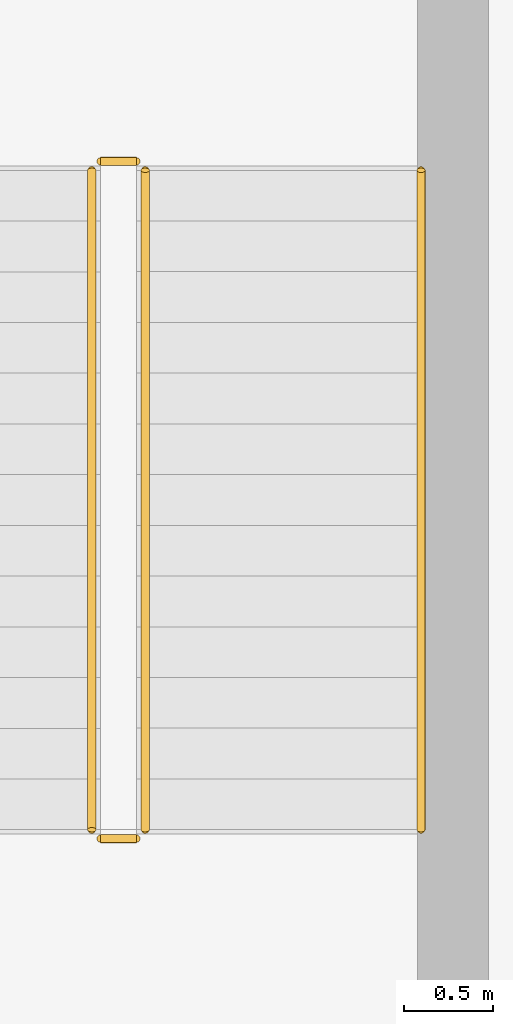
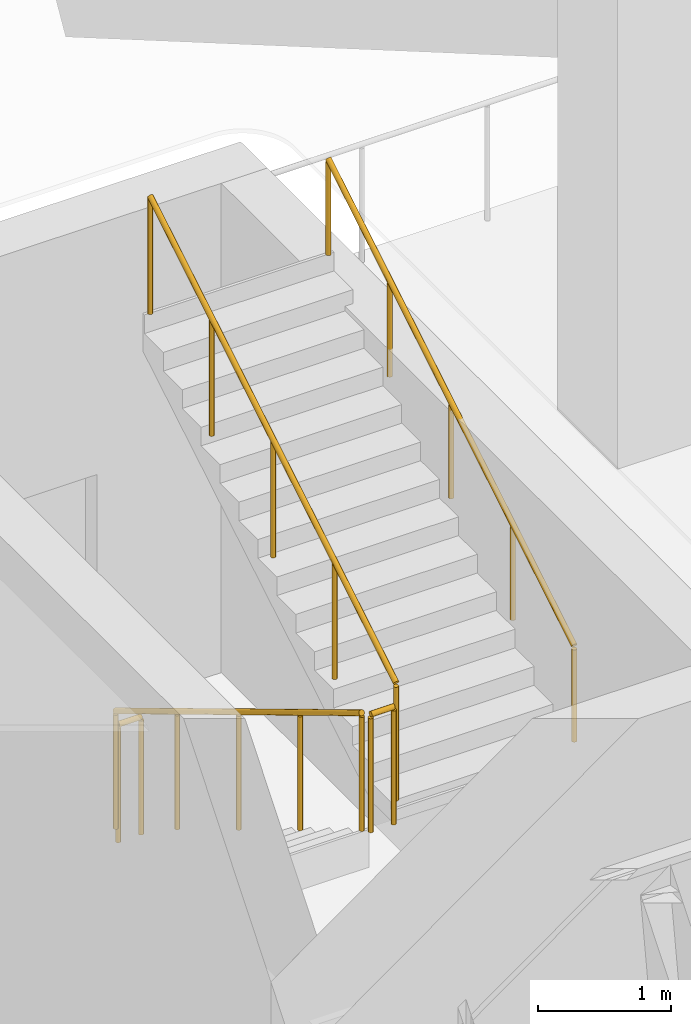
# One storey, part 74 of 100: 5 railings.
"""IFC4 building model written with IfcOpenShell, lengths in metres."""

from ifc_helpers import new_model, si_unit, direction, frame, origin, origin_2d, place, context, subcontext, project, spatial, circle, extrude, material, type_object, element, save


model = new_model("IFC4")

# Units and contexts
model_context = context("Model", 3, precision=1e-05, world=origin(), true_north=direction((0.0, 1.0)))
body_context = subcontext(model_context, "Body", "Model", "MODEL_VIEW")
ifc_project = project(units=[si_unit("LENGTHUNIT", "METRE"), si_unit("AREAUNIT", "SQUARE_METRE"), si_unit("VOLUMEUNIT", "CUBIC_METRE"), si_unit("PLANEANGLEUNIT", "RADIAN"), si_unit("MASSUNIT", "GRAM", prefix="KILO")], contexts=[model_context])

# Site, building, storey
site_placement = place(None, origin())
site = spatial("IfcSite", under=ifc_project, at=site_placement, CompositionType="ELEMENT")
building_placement = place(site_placement, origin())
building = spatial("IfcBuilding", under=site, at=building_placement, Name="Caelomonte Colonnade Arena", CompositionType="ELEMENT")
storey_placement = place(building_placement, origin())
storey = spatial("IfcBuildingStorey", under=building, at=storey_placement, Name="L00", CompositionType="ELEMENT", Elevation=0.0)

# Railings
ifc_material_1 = material(Name="Painted galvanized steel stair guard", Category="steel")
railing_type_1 = type_object("IfcRailingType", Name="INT-RL-GRD", PredefinedType="GUARDRAIL", material=ifc_material_1)
railing_1_placement = place(storey_placement, frame((118.60009765625, 25.949951171875, 0.17138671875)))
element("IfcRailing", 1, at=railing_1_placement, inside=storey, type_object=railing_type_1, Name="L00 ST-V03 stair guard 1", PredefinedType="GUARDRAIL", context=body_context, shape_type="SweptSolid", body=[
    extrude(circle(Radius=0.02392578125, at=origin_2d()), frame((0.0, 0.0, 1.076171875), z_axis=(0.0, -0.856919398105, 0.515450429384), x_axis=(1.0, 0.0, 0.0)), (0.0, 0.0, 1.0), 4.323486328125),
    extrude(circle(Radius=0.02099609375, at=origin_2d()), origin(), (0.0, 0.0, 1.0), 1.048095703125),
    extrude(circle(Radius=0.02099609375, at=origin_2d()), frame((0.0, -0.92626953125, 0.55712890625)), (0.0, 0.0, 1.0), 1.048095703125),
    extrude(circle(Radius=0.02099609375, at=origin_2d()), frame((0.0, -1.8525390625, 1.1142578125)), (0.0, 0.0, 1.0), 1.048095703125),
    extrude(circle(Radius=0.02099609375, at=origin_2d()), frame((0.0, -2.778564453125, 1.67138671875)), (0.0, 0.0, 1.0), 1.048095703125),
    extrude(circle(Radius=0.02099609375, at=origin_2d()), frame((0.0, -3.704833984375, 2.228515625)), (0.0, 0.0, 1.0), 1.048095703125),
])
railing_2_placement = place(storey_placement, frame((118.64990234375, 22.195068359375, 2.39990234375)))
element("IfcRailing", 2, at=railing_2_placement, inside=storey, type_object=railing_type_1, Name="L00 ST-V03 stair guard 2", PredefinedType="GUARDRAIL", context=body_context, shape_type="SweptSolid", body=[
    extrude(circle(Radius=0.02392578125, at=origin_2d()), frame((0.0, 0.0, 1.076171875), z_axis=(1.0, 0.0, 0.0), x_axis=(0.0, 1.0, 0.0)), (0.0, 0.0, 1.0), 0.2001953125),
    extrude(circle(Radius=0.02099609375, at=origin_2d()), origin(), (0.0, 0.0, 1.0), 1.048095703125),
    extrude(circle(Radius=0.02099609375, at=origin_2d()), frame((0.2001953125, 0.0, 0.0)), (0.0, 0.0, 1.0), 1.048095703125),
])
railing_3_placement = place(storey_placement, frame((118.89990234375, 22.2451171875, 2.571533203125)))
element("IfcRailing", 3, at=railing_3_placement, inside=storey, type_object=railing_type_1, Name="L00 ST-V03 stair guard 3", PredefinedType="GUARDRAIL", context=body_context, shape_type="SweptSolid", body=[
    extrude(circle(Radius=0.02392578125, at=origin_2d()), frame((0.0, 0.0, 1.076171875), z_axis=(0.0, 0.856919398105, 0.515450429384), x_axis=(-1.0, 0.0, 0.0)), (0.0, 0.0, 1.0), 4.323486328125),
    extrude(circle(Radius=0.02099609375, at=origin_2d()), origin(), (0.0, 0.0, 1.0), 1.048095703125),
    extrude(circle(Radius=0.02099609375, at=origin_2d()), frame((0.0, 0.92626953125, 0.55712890625)), (0.0, 0.0, 1.0), 1.048095703125),
    extrude(circle(Radius=0.02099609375, at=origin_2d()), frame((0.0, 1.8525390625, 1.1142578125)), (0.0, 0.0, 1.0), 1.048095703125),
    extrude(circle(Radius=0.02099609375, at=origin_2d()), frame((0.0, 2.778564453125, 1.67138671875)), (0.0, 0.0, 1.0), 1.048095703125),
    extrude(circle(Radius=0.02099609375, at=origin_2d()), frame((0.0, 3.704833984375, 2.228515625)), (0.0, 0.0, 1.0), 1.048095703125),
])
railing_4_placement = place(storey_placement, frame((118.64990234375, 26.0, 0.0)))
element("IfcRailing", 4, at=railing_4_placement, inside=storey, type_object=railing_type_1, Name="L00 ST-V03 stair guard 4", PredefinedType="GUARDRAIL", context=body_context, shape_type="SweptSolid", body=[
    extrude(circle(Radius=0.02392578125, at=origin_2d()), frame((0.0, 0.0, 1.076171875), z_axis=(1.0, 0.0, 0.0), x_axis=(0.0, 1.0, 0.0)), (0.0, 0.0, 1.0), 0.2001953125),
    extrude(circle(Radius=0.02099609375, at=origin_2d()), origin(), (0.0, 0.0, 1.0), 1.048095703125),
    extrude(circle(Radius=0.02099609375, at=origin_2d()), frame((0.2001953125, 0.0, 0.0)), (0.0, 0.0, 1.0), 1.048095703125),
])
ifc_material_2 = material(Name="Brushed stainless steel stair handrail", Category="steel")
railing_type_2 = type_object("IfcRailingType", Name="INT-RL-HR", PredefinedType="HANDRAIL", material=ifc_material_2)
railing_5_placement = place(storey_placement, frame((120.449951171875, 22.2451171875, 2.571533203125)))
element("IfcRailing", 5, at=railing_5_placement, inside=storey, type_object=railing_type_2, Name="L00 ST-V03 stair handrail 2", PredefinedType="HANDRAIL", context=body_context, shape_type="SweptSolid", body=[
    extrude(circle(Radius=0.02392578125, at=origin_2d()), frame((0.0, 0.0, 0.8759765625), z_axis=(0.0, 0.856919398105, 0.515450429384), x_axis=(-1.0, 0.0, 0.0)), (0.0, 0.0, 1.0), 4.323486328125),
    extrude(circle(Radius=0.02099609375, at=origin_2d()), origin(), (0.0, 0.0, 1.0), 0.847900390625),
    extrude(circle(Radius=0.02099609375, at=origin_2d()), frame((0.0, 0.92626953125, 0.55712890625)), (0.0, 0.0, 1.0), 0.847900390625),
    extrude(circle(Radius=0.02099609375, at=origin_2d()), frame((0.0, 1.8525390625, 1.1142578125)), (0.0, 0.0, 1.0), 0.847900390625),
    extrude(circle(Radius=0.02099609375, at=origin_2d()), frame((0.0, 2.778564453125, 1.67138671875)), (0.0, 0.0, 1.0), 0.847900390625),
    extrude(circle(Radius=0.02099609375, at=origin_2d()), frame((0.0, 3.704833984375, 2.228515625)), (0.0, 0.0, 1.0), 0.847900390625),
])

save(model, "model.ifc")
